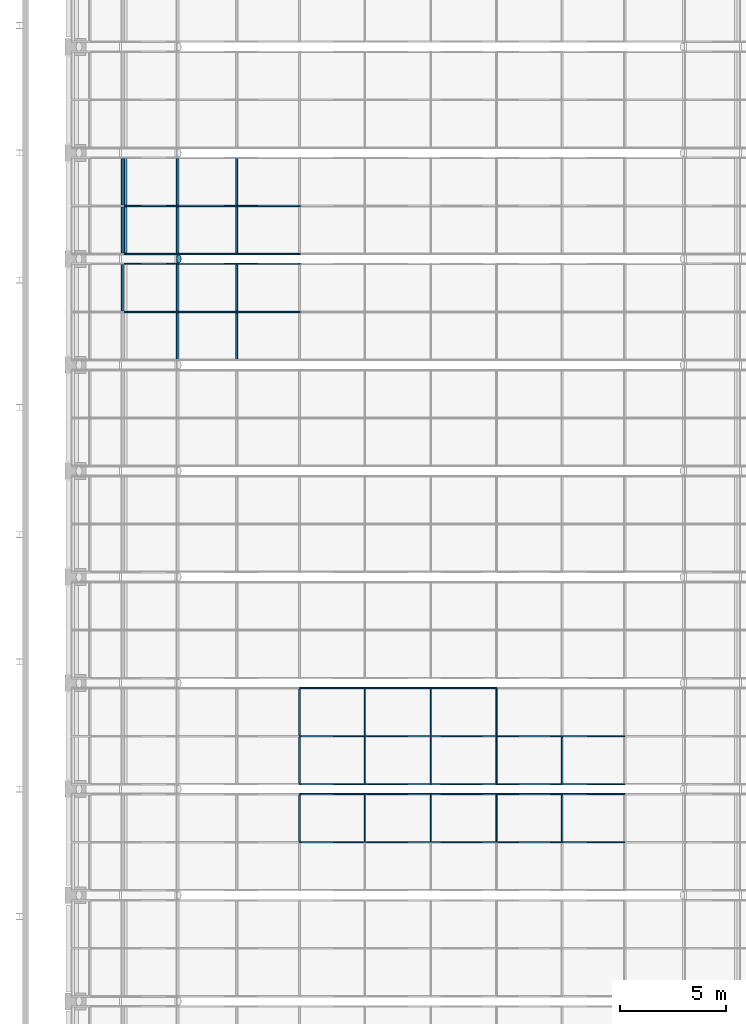
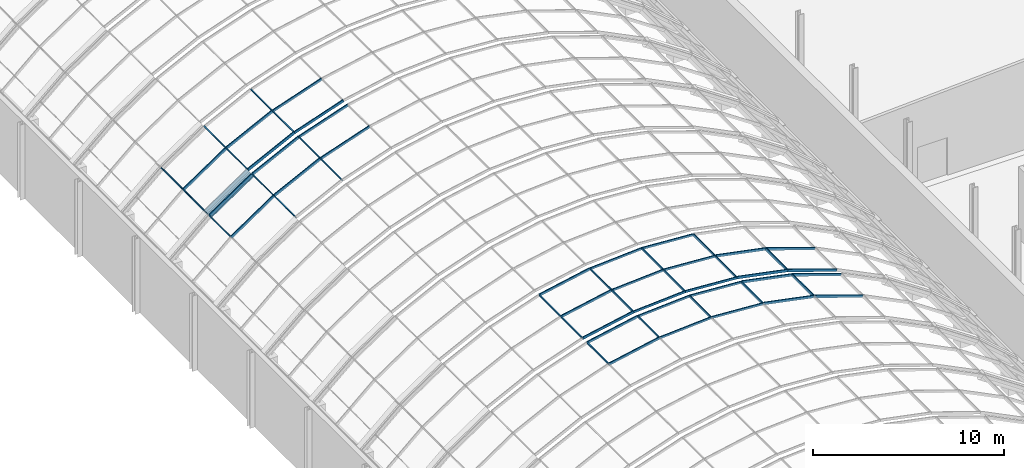
# One storey, part 73 of 182: 62 members, 4 elements without a shape of their own.
"""IFC4 building model written with IfcOpenShell, lengths in metres."""

from ifc_helpers import new_model, si_unit, direction, frame, origin, origin_2d, place, context, subcontext, project, spatial, rectangle, hollow_rectangle, hollow_circle, extrude, material, material_profile, profile_set, type_object, element, aggregate, save


model = new_model("IFC4")

# Units and contexts
model_context = context("Model", 3, precision=1e-05, world=origin(), true_north=direction((0.0, 1.0)))
body_context = subcontext(model_context, "Body", "Model", "MODEL_VIEW")
ifc_project = project(units=[si_unit("LENGTHUNIT", "METRE"), si_unit("AREAUNIT", "SQUARE_METRE"), si_unit("VOLUMEUNIT", "CUBIC_METRE"), si_unit("PLANEANGLEUNIT", "RADIAN"), si_unit("MASSUNIT", "GRAM", prefix="KILO")], contexts=[model_context])

# Site, building, storey
site_placement = place(None, origin())
site = spatial("IfcSite", under=ifc_project, at=site_placement, CompositionType="ELEMENT")
building_placement = place(site_placement, origin())
building = spatial("IfcBuilding", under=site, at=building_placement, Name="Okhra Congress Centre", CompositionType="ELEMENT")
storey_placement = place(building_placement, frame((0.0, 0.0, 7.199951171875)))
storey = spatial("IfcBuildingStorey", under=building, at=storey_placement, Name="L01", CompositionType="ELEMENT", Elevation=7.199951171875)

# Curtain wall, members
ifc_material_1 = material(Name="Aluminium frame with triple glazing", Category="aluminium")
curtain_wall_type = type_object("IfcCurtainWallType", Name="Glazed vault bay curtain wall", PredefinedType="NOTDEFINED", material=ifc_material_1)
curtain_wall_1_placement = place(storey_placement, origin())
curtain_wall_1 = element("IfcCurtainWall", 1, at=curtain_wall_1_placement, inside=storey, type_object=curtain_wall_type, Name="Vault glazing bay 16", PredefinedType="NOTDEFINED")
ifc_material_2 = material(Name="Aluminium alloy 6063", Category="aluminium")
ifc_material_profile_1 = material_profile(ifc_material_2, rectangle(XDim=0.06005859375, YDim=0.139892578125, at=origin_2d()), Name="AL 60x140")
ifc_profile_set_1 = profile_set([ifc_material_profile_1], Name="Aluminium alloy 6063")
member_type_1 = type_object("IfcMemberType", Name="Aluminium mullion 60x140", PredefinedType="MULLION", material=ifc_profile_set_1)
member_1_placement = place(storey_placement, frame((169.1337890625, 153.5, 8.7392578125), z_axis=(0.997826129775, 0.0, 0.065901553385), x_axis=(0.0, 1.0, 0.0)))
member_1 = element("IfcMember", 2, at=member_1_placement, type_object=member_type_1, Name="Vault mullion 16.2.6", PredefinedType="MULLION", context=body_context, shape_type="SweptSolid", body=[
    extrude(rectangle(XDim=0.06005859375, YDim=0.139892578125, at=origin_2d()), origin(), (0.0, 0.0, 1.0), 3.123046875),
])
member_2_placement = place(storey_placement, frame((172.25, 153.5, 8.945068359375), z_axis=(0.997826129775, 0.0, -0.065901553385), x_axis=(0.0, 1.0, 0.0)))
member_2 = element("IfcMember", 3, at=member_2_placement, type_object=member_type_1, Name="Vault mullion 16.2.7", PredefinedType="MULLION", context=body_context, shape_type="SweptSolid", body=[
    extrude(rectangle(XDim=0.06005859375, YDim=0.139892578125, at=origin_2d()), origin(), (0.0, 0.0, 1.0), 3.123046875),
])
member_3_placement = place(storey_placement, frame((169.1337890625, 155.766845703125, 8.7392578125), z_axis=(0.997826129775, 0.0, 0.065901553385), x_axis=(0.0, 1.0, 0.0)))
member_3 = element("IfcMember", 4, at=member_3_placement, type_object=member_type_1, Name="Vault mullion 16.3.6", PredefinedType="MULLION", context=body_context, shape_type="SweptSolid", body=[
    extrude(rectangle(XDim=0.06005859375, YDim=0.139892578125, at=origin_2d()), origin(), (0.0, 0.0, 1.0), 3.123046875),
])
member_4_placement = place(storey_placement, frame((172.25, 155.766845703125, 8.945068359375), z_axis=(0.997826129775, 0.0, -0.065901553385), x_axis=(0.0, 1.0, 0.0)))
member_4 = element("IfcMember", 5, at=member_4_placement, type_object=member_type_1, Name="Vault mullion 16.3.7", PredefinedType="MULLION", context=body_context, shape_type="SweptSolid", body=[
    extrude(rectangle(XDim=0.06005859375, YDim=0.139892578125, at=origin_2d()), origin(), (0.0, 0.0, 1.0), 3.123046875),
])

curtain_wall_2_placement = place(storey_placement, origin())
curtain_wall_2 = element("IfcCurtainWall", 6, at=curtain_wall_2_placement, inside=storey, type_object=curtain_wall_type, Name="Vault glazing bay 17", PredefinedType="NOTDEFINED")
member_5_placement = place(storey_placement, frame((169.1337890625, 156.233154296875, 8.7392578125), z_axis=(0.997826129775, 0.0, 0.065901553385), x_axis=(0.0, 1.0, 0.0)))
member_5 = element("IfcMember", 7, at=member_5_placement, type_object=member_type_1, Name="Vault mullion 17.1.6", PredefinedType="MULLION", context=body_context, shape_type="SweptSolid", body=[
    extrude(rectangle(XDim=0.06005859375, YDim=0.139892578125, at=origin_2d()), origin(), (0.0, 0.0, 1.0), 3.123046875),
])
member_6_placement = place(storey_placement, frame((172.25, 156.233154296875, 8.945068359375), z_axis=(0.997826129775, 0.0, -0.065901553385), x_axis=(0.0, 1.0, 0.0)))
member_6 = element("IfcMember", 8, at=member_6_placement, type_object=member_type_1, Name="Vault mullion 17.1.7", PredefinedType="MULLION", context=body_context, shape_type="SweptSolid", body=[
    extrude(rectangle(XDim=0.06005859375, YDim=0.139892578125, at=origin_2d()), origin(), (0.0, 0.0, 1.0), 3.123046875),
])
member_7_placement = place(storey_placement, frame((169.1337890625, 158.5, 8.7392578125), z_axis=(0.997826129775, 0.0, 0.065901553385), x_axis=(0.0, 1.0, 0.0)))
member_7 = element("IfcMember", 9, at=member_7_placement, type_object=member_type_1, Name="Vault mullion 17.2.6", PredefinedType="MULLION", context=body_context, shape_type="SweptSolid", body=[
    extrude(rectangle(XDim=0.06005859375, YDim=0.139892578125, at=origin_2d()), origin(), (0.0, 0.0, 1.0), 3.123046875),
])
member_8_placement = place(storey_placement, frame((172.25, 158.5, 8.945068359375), z_axis=(0.997826129775, 0.0, -0.065901553385), x_axis=(0.0, 1.0, 0.0)))
member_8 = element("IfcMember", 10, at=member_8_placement, type_object=member_type_1, Name="Vault mullion 17.2.7", PredefinedType="MULLION", context=body_context, shape_type="SweptSolid", body=[
    extrude(rectangle(XDim=0.06005859375, YDim=0.139892578125, at=origin_2d()), origin(), (0.0, 0.0, 1.0), 3.123046875),
])
member_9_placement = place(storey_placement, frame((169.1337890625, 160.766845703125, 8.7392578125), z_axis=(0.997826129775, 0.0, 0.065901553385), x_axis=(0.0, 1.0, 0.0)))
member_9 = element("IfcMember", 11, at=member_9_placement, type_object=member_type_1, Name="Vault mullion 17.3.6", PredefinedType="MULLION", context=body_context, shape_type="SweptSolid", body=[
    extrude(rectangle(XDim=0.06005859375, YDim=0.139892578125, at=origin_2d()), origin(), (0.0, 0.0, 1.0), 3.123046875),
])
member_10_placement = place(storey_placement, frame((172.25, 160.766845703125, 8.945068359375), z_axis=(0.997826129775, 0.0, -0.065901553385), x_axis=(0.0, 1.0, 0.0)))
member_10 = element("IfcMember", 12, at=member_10_placement, type_object=member_type_1, Name="Vault mullion 17.3.7", PredefinedType="MULLION", context=body_context, shape_type="SweptSolid", body=[
    extrude(rectangle(XDim=0.06005859375, YDim=0.139892578125, at=origin_2d()), origin(), (0.0, 0.0, 1.0), 3.123046875),
])

# Member
ifc_material_profile_2 = material_profile(ifc_material_2, rectangle(XDim=0.06005859375, YDim=0.159912109375, at=origin_2d()), Name="AL 60x160")
ifc_profile_set_2 = profile_set([ifc_material_profile_2], Name="Aluminium alloy 6063")
member_type_2 = type_object("IfcMemberType", Name="Aluminium mullion 60x160", PredefinedType="MULLION", material=ifc_profile_set_2)
member_11_placement = place(storey_placement, frame((166.069091796875, 153.5, 8.134765625), z_axis=(0.980484387086, 0.0, 0.196596965087), x_axis=(0.0, 1.0, 0.0)))
member_11 = element("IfcMember", 13, at=member_11_placement, type_object=member_type_2, Name="Vault mullion 16.2.5", PredefinedType="MULLION", context=body_context, shape_type="SweptSolid", body=[
    extrude(rectangle(XDim=0.06005859375, YDim=0.159912109375, at=origin_2d()), origin(), (0.0, 0.0, 1.0), 3.12451171875),
])

member_12_placement = place(storey_placement, frame((175.367431640625, 153.5, 8.7490234375), z_axis=(0.980484387086, 0.0, -0.196596965087), x_axis=(0.0, 1.0, 0.0)))
member_12 = element("IfcMember", 14, at=member_12_placement, type_object=member_type_2, Name="Vault mullion 16.2.8", PredefinedType="MULLION", context=body_context, shape_type="SweptSolid", body=[
    extrude(rectangle(XDim=0.06005859375, YDim=0.159912109375, at=origin_2d()), origin(), (0.0, 0.0, 1.0), 3.12451171875),
])

member_13_placement = place(storey_placement, frame((178.430908203125, 153.5, 8.134765625), z_axis=(0.946065064306, 0.0, -0.323976687587), x_axis=(0.0, 1.0, 0.0)))
member_13 = element("IfcMember", 15, at=member_13_placement, type_object=member_type_2, Name="Vault mullion 16.2.9", PredefinedType="MULLION", context=body_context, shape_type="SweptSolid", body=[
    extrude(rectangle(XDim=0.06005859375, YDim=0.159912109375, at=origin_2d()), origin(), (0.0, 0.0, 1.0), 3.124267578125),
])

member_14_placement = place(storey_placement, frame((166.069091796875, 155.766845703125, 8.134765625), z_axis=(0.980484387086, 0.0, 0.196596965087), x_axis=(0.0, 1.0, 0.0)))
member_14 = element("IfcMember", 16, at=member_14_placement, type_object=member_type_2, Name="Vault mullion 16.3.5", PredefinedType="MULLION", context=body_context, shape_type="SweptSolid", body=[
    extrude(rectangle(XDim=0.06005859375, YDim=0.159912109375, at=origin_2d()), origin(), (0.0, 0.0, 1.0), 3.12451171875),
])

member_15_placement = place(storey_placement, frame((175.367431640625, 155.766845703125, 8.7490234375), z_axis=(0.980484387086, 0.0, -0.196596965087), x_axis=(0.0, 1.0, 0.0)))
member_15 = element("IfcMember", 17, at=member_15_placement, type_object=member_type_2, Name="Vault mullion 16.3.8", PredefinedType="MULLION", context=body_context, shape_type="SweptSolid", body=[
    extrude(rectangle(XDim=0.06005859375, YDim=0.159912109375, at=origin_2d()), origin(), (0.0, 0.0, 1.0), 3.12451171875),
])

member_16_placement = place(storey_placement, frame((178.430908203125, 155.766845703125, 8.134765625), z_axis=(0.946065064306, 0.0, -0.323976687587), x_axis=(0.0, 1.0, 0.0)))
member_16 = element("IfcMember", 18, at=member_16_placement, type_object=member_type_2, Name="Vault mullion 16.3.9", PredefinedType="MULLION", context=body_context, shape_type="SweptSolid", body=[
    extrude(rectangle(XDim=0.06005859375, YDim=0.159912109375, at=origin_2d()), origin(), (0.0, 0.0, 1.0), 3.124267578125),
])

member_17_placement = place(storey_placement, frame((166.069091796875, 156.233154296875, 8.134765625), z_axis=(0.980484387086, 0.0, 0.196596965087), x_axis=(0.0, 1.0, 0.0)))
member_17 = element("IfcMember", 19, at=member_17_placement, type_object=member_type_2, Name="Vault mullion 17.1.5", PredefinedType="MULLION", context=body_context, shape_type="SweptSolid", body=[
    extrude(rectangle(XDim=0.06005859375, YDim=0.159912109375, at=origin_2d()), origin(), (0.0, 0.0, 1.0), 3.12451171875),
])

member_18_placement = place(storey_placement, frame((175.367431640625, 156.233154296875, 8.7490234375), z_axis=(0.980484387086, 0.0, -0.196596965087), x_axis=(0.0, 1.0, 0.0)))
member_18 = element("IfcMember", 20, at=member_18_placement, type_object=member_type_2, Name="Vault mullion 17.1.8", PredefinedType="MULLION", context=body_context, shape_type="SweptSolid", body=[
    extrude(rectangle(XDim=0.06005859375, YDim=0.159912109375, at=origin_2d()), origin(), (0.0, 0.0, 1.0), 3.12451171875),
])

member_19_placement = place(storey_placement, frame((178.430908203125, 156.233154296875, 8.134765625), z_axis=(0.946065064306, 0.0, -0.323976687587), x_axis=(0.0, 1.0, 0.0)))
member_19 = element("IfcMember", 21, at=member_19_placement, type_object=member_type_2, Name="Vault mullion 17.1.9", PredefinedType="MULLION", context=body_context, shape_type="SweptSolid", body=[
    extrude(rectangle(XDim=0.06005859375, YDim=0.159912109375, at=origin_2d()), origin(), (0.0, 0.0, 1.0), 3.124267578125),
])

member_20_placement = place(storey_placement, frame((166.069091796875, 158.5, 8.134765625), z_axis=(0.980484387086, 0.0, 0.196596965087), x_axis=(0.0, 1.0, 0.0)))
member_20 = element("IfcMember", 22, at=member_20_placement, type_object=member_type_2, Name="Vault mullion 17.2.5", PredefinedType="MULLION", context=body_context, shape_type="SweptSolid", body=[
    extrude(rectangle(XDim=0.06005859375, YDim=0.159912109375, at=origin_2d()), origin(), (0.0, 0.0, 1.0), 3.12451171875),
])

member_21_placement = place(storey_placement, frame((175.367431640625, 158.5, 8.7490234375), z_axis=(0.980484387086, 0.0, -0.196596965087), x_axis=(0.0, 1.0, 0.0)))
member_21 = element("IfcMember", 23, at=member_21_placement, type_object=member_type_2, Name="Vault mullion 17.2.8", PredefinedType="MULLION", context=body_context, shape_type="SweptSolid", body=[
    extrude(rectangle(XDim=0.06005859375, YDim=0.159912109375, at=origin_2d()), origin(), (0.0, 0.0, 1.0), 3.12451171875),
])

member_22_placement = place(storey_placement, frame((178.430908203125, 158.5, 8.134765625), z_axis=(0.946065064306, 0.0, -0.323976687587), x_axis=(0.0, 1.0, 0.0)))
member_22 = element("IfcMember", 24, at=member_22_placement, type_object=member_type_2, Name="Vault mullion 17.2.9", PredefinedType="MULLION", context=body_context, shape_type="SweptSolid", body=[
    extrude(rectangle(XDim=0.06005859375, YDim=0.159912109375, at=origin_2d()), origin(), (0.0, 0.0, 1.0), 3.124267578125),
])

member_23_placement = place(storey_placement, frame((166.069091796875, 160.766845703125, 8.134765625), z_axis=(0.980484387086, 0.0, 0.196596965087), x_axis=(0.0, 1.0, 0.0)))
member_23 = element("IfcMember", 25, at=member_23_placement, type_object=member_type_2, Name="Vault mullion 17.3.5", PredefinedType="MULLION", context=body_context, shape_type="SweptSolid", body=[
    extrude(rectangle(XDim=0.06005859375, YDim=0.159912109375, at=origin_2d()), origin(), (0.0, 0.0, 1.0), 3.12451171875),
])

# Curtain wall, members
curtain_wall_3_placement = place(storey_placement, origin())
curtain_wall_3 = element("IfcCurtainWall", 26, at=curtain_wall_3_placement, inside=storey, type_object=curtain_wall_type, Name="Vault glazing bay 21", PredefinedType="NOTDEFINED")
member_24_placement = place(storey_placement, frame((163.11328125, 178.5, 7.12255859375), z_axis=(0.946065064306, 0.0, 0.323976687587), x_axis=(0.0, 1.0, 0.0)))
member_24 = element("IfcMember", 27, at=member_24_placement, type_object=member_type_2, Name="Vault mullion 21.2.4", PredefinedType="MULLION", context=body_context, shape_type="SweptSolid", body=[
    extrude(rectangle(XDim=0.06005859375, YDim=0.159912109375, at=origin_2d()), origin(), (0.0, 0.0, 1.0), 3.124267578125),
])
member_25_placement = place(storey_placement, frame((163.11328125, 180.766845703125, 7.12255859375), z_axis=(0.946065064306, 0.0, 0.323976687587), x_axis=(0.0, 1.0, 0.0)))
member_25 = element("IfcMember", 28, at=member_25_placement, type_object=member_type_2, Name="Vault mullion 21.3.4", PredefinedType="MULLION", context=body_context, shape_type="SweptSolid", body=[
    extrude(rectangle(XDim=0.06005859375, YDim=0.159912109375, at=origin_2d()), origin(), (0.0, 0.0, 1.0), 3.124267578125),
])

curtain_wall_4_placement = place(storey_placement, origin())
curtain_wall_4 = element("IfcCurtainWall", 29, at=curtain_wall_4_placement, inside=storey, type_object=curtain_wall_type, Name="Vault glazing bay 22", PredefinedType="NOTDEFINED")
member_26_placement = place(storey_placement, frame((163.11328125, 181.233154296875, 7.12255859375), z_axis=(0.946065064306, 0.0, 0.323976687587), x_axis=(0.0, 1.0, 0.0)))
member_26 = element("IfcMember", 30, at=member_26_placement, type_object=member_type_2, Name="Vault mullion 22.1.4", PredefinedType="MULLION", context=body_context, shape_type="SweptSolid", body=[
    extrude(rectangle(XDim=0.06005859375, YDim=0.159912109375, at=origin_2d()), origin(), (0.0, 0.0, 1.0), 3.124267578125),
])
member_27_placement = place(storey_placement, frame((163.11328125, 183.5, 7.12255859375), z_axis=(0.946065064306, 0.0, 0.323976687587), x_axis=(0.0, 1.0, 0.0)))
member_27 = element("IfcMember", 31, at=member_27_placement, type_object=member_type_2, Name="Vault mullion 22.2.4", PredefinedType="MULLION", context=body_context, shape_type="SweptSolid", body=[
    extrude(rectangle(XDim=0.06005859375, YDim=0.159912109375, at=origin_2d()), origin(), (0.0, 0.0, 1.0), 3.124267578125),
])

# Member
ifc_material_profile_3 = material_profile(ifc_material_2, rectangle(XDim=0.06005859375, YDim=0.179931640625, at=origin_2d()), Name="AL 60x180")
ifc_profile_set_3 = profile_set([ifc_material_profile_3], Name="Aluminium alloy 6063")
member_type_3 = type_object("IfcMemberType", Name="Aluminium mullion 60x180", PredefinedType="MULLION", material=ifc_profile_set_3)
member_28_placement = place(storey_placement, frame((157.720703125, 178.5, 3.990478515625), z_axis=(0.828827846338, 0.0, 0.559503709671), x_axis=(0.0, 1.0, 0.0)))
member_28 = element("IfcMember", 32, at=member_28_placement, type_object=member_type_3, Name="Vault mullion 21.2.2", PredefinedType="MULLION", context=body_context, shape_type="SweptSolid", body=[
    extrude(rectangle(XDim=0.06005859375, YDim=0.179931640625, at=origin_2d()), origin(), (0.0, 0.0, 1.0), 3.12548828125),
])

member_29_placement = place(storey_placement, frame((160.311279296875, 178.5, 5.7392578125), z_axis=(0.895253656313, 0.0, 0.445556832354), x_axis=(0.0, 1.0, 0.0)))
member_29 = element("IfcMember", 33, at=member_29_placement, type_object=member_type_3, Name="Vault mullion 21.2.3", PredefinedType="MULLION", context=body_context, shape_type="SweptSolid", body=[
    extrude(rectangle(XDim=0.06005859375, YDim=0.179931640625, at=origin_2d()), origin(), (0.0, 0.0, 1.0), 3.12548828125),
])

member_30_placement = place(storey_placement, frame((157.720703125, 180.766845703125, 3.990478515625), z_axis=(0.828827846338, 0.0, 0.559503709671), x_axis=(0.0, 1.0, 0.0)))
member_30 = element("IfcMember", 34, at=member_30_placement, type_object=member_type_3, Name="Vault mullion 21.3.2", PredefinedType="MULLION", context=body_context, shape_type="SweptSolid", body=[
    extrude(rectangle(XDim=0.06005859375, YDim=0.179931640625, at=origin_2d()), origin(), (0.0, 0.0, 1.0), 3.12548828125),
])

member_31_placement = place(storey_placement, frame((160.311279296875, 180.766845703125, 5.7392578125), z_axis=(0.895253656313, 0.0, 0.445556832354), x_axis=(0.0, 1.0, 0.0)))
member_31 = element("IfcMember", 35, at=member_31_placement, type_object=member_type_3, Name="Vault mullion 21.3.3", PredefinedType="MULLION", context=body_context, shape_type="SweptSolid", body=[
    extrude(rectangle(XDim=0.06005859375, YDim=0.179931640625, at=origin_2d()), origin(), (0.0, 0.0, 1.0), 3.12548828125),
])

member_32_placement = place(storey_placement, frame((157.720703125, 181.233154296875, 3.990478515625), z_axis=(0.828827846338, 0.0, 0.559503709671), x_axis=(0.0, 1.0, 0.0)))
member_32 = element("IfcMember", 36, at=member_32_placement, type_object=member_type_3, Name="Vault mullion 22.1.2", PredefinedType="MULLION", context=body_context, shape_type="SweptSolid", body=[
    extrude(rectangle(XDim=0.06005859375, YDim=0.179931640625, at=origin_2d()), origin(), (0.0, 0.0, 1.0), 3.12548828125),
])

member_33_placement = place(storey_placement, frame((160.311279296875, 181.233154296875, 5.7392578125), z_axis=(0.895253656313, 0.0, 0.445556832354), x_axis=(0.0, 1.0, 0.0)))
member_33 = element("IfcMember", 37, at=member_33_placement, type_object=member_type_3, Name="Vault mullion 22.1.3", PredefinedType="MULLION", context=body_context, shape_type="SweptSolid", body=[
    extrude(rectangle(XDim=0.06005859375, YDim=0.179931640625, at=origin_2d()), origin(), (0.0, 0.0, 1.0), 3.12548828125),
])

member_34_placement = place(storey_placement, frame((157.720703125, 183.5, 3.990478515625), z_axis=(0.828827846338, 0.0, 0.559503709671), x_axis=(0.0, 1.0, 0.0)))
member_34 = element("IfcMember", 38, at=member_34_placement, type_object=member_type_3, Name="Vault mullion 22.2.2", PredefinedType="MULLION", context=body_context, shape_type="SweptSolid", body=[
    extrude(rectangle(XDim=0.06005859375, YDim=0.179931640625, at=origin_2d()), origin(), (0.0, 0.0, 1.0), 3.12548828125),
])

member_35_placement = place(storey_placement, frame((160.311279296875, 183.5, 5.7392578125), z_axis=(0.895253656313, 0.0, 0.445556832354), x_axis=(0.0, 1.0, 0.0)))
member_35 = element("IfcMember", 39, at=member_35_placement, type_object=member_type_3, Name="Vault mullion 22.2.3", PredefinedType="MULLION", context=body_context, shape_type="SweptSolid", body=[
    extrude(rectangle(XDim=0.06005859375, YDim=0.179931640625, at=origin_2d()), origin(), (0.0, 0.0, 1.0), 3.12548828125),
])

ifc_material_profile_4 = material_profile(ifc_material_2, rectangle(XDim=0.06005859375, YDim=0.139892578125, at=origin_2d()), Name="AL 60x140 transom")
ifc_profile_set_4 = profile_set([ifc_material_profile_4], Name="Aluminium alloy 6063")
member_type_4 = type_object("IfcMemberType", Name="Aluminium transom 60x140", PredefinedType="USERDEFINED", material=ifc_profile_set_4)
member_36_placement = place(storey_placement, frame((169.1337890625, 153.530029296875, 8.7392578125), z_axis=(0.0, 1.0, 0.0), x_axis=(-0.991307202734, 0.0, -0.131567586459)))
member_36 = element("IfcMember", 40, at=member_36_placement, type_object=member_type_4, Name="Vault transom 16.2.6", ObjectType="TRANSOM", PredefinedType="USERDEFINED", context=body_context, shape_type="SweptSolid", body=[
    extrude(rectangle(XDim=0.06005859375, YDim=0.139892578125, at=origin_2d()), origin(), (0.0, 0.0, 1.0), 2.206787109375),
])

member_37_placement = place(storey_placement, frame((172.25, 153.530029296875, 8.945068359375), z_axis=(0.0, 1.0, 0.0), x_axis=(-1.0, 0.0, 0.0)))
member_37 = element("IfcMember", 41, at=member_37_placement, type_object=member_type_4, Name="Vault transom 16.2.7", ObjectType="TRANSOM", PredefinedType="USERDEFINED", context=body_context, shape_type="SweptSolid", body=[
    extrude(rectangle(XDim=0.06005859375, YDim=0.139892578125, at=origin_2d()), origin(), (0.0, 0.0, 1.0), 2.206787109375),
])

member_38_placement = place(storey_placement, frame((175.3662109375, 153.530029296875, 8.7392578125), z_axis=(0.0, 1.0, 0.0), x_axis=(-0.991307202734, 0.0, 0.131567586459)))
member_38 = element("IfcMember", 42, at=member_38_placement, type_object=member_type_4, Name="Vault transom 16.2.8", ObjectType="TRANSOM", PredefinedType="USERDEFINED", context=body_context, shape_type="SweptSolid", body=[
    extrude(rectangle(XDim=0.06005859375, YDim=0.139892578125, at=origin_2d()), origin(), (0.0, 0.0, 1.0), 2.206787109375),
])

member_39_placement = place(storey_placement, frame((169.1337890625, 156.26318359375, 8.7392578125), z_axis=(0.0, 1.0, 0.0), x_axis=(-0.991307202734, 0.0, -0.131567586459)))
member_39 = element("IfcMember", 43, at=member_39_placement, type_object=member_type_4, Name="Vault transom 17.1.6", ObjectType="TRANSOM", PredefinedType="USERDEFINED", context=body_context, shape_type="SweptSolid", body=[
    extrude(rectangle(XDim=0.06005859375, YDim=0.139892578125, at=origin_2d()), origin(), (0.0, 0.0, 1.0), 2.206787109375),
])

member_40_placement = place(storey_placement, frame((172.25, 156.26318359375, 8.945068359375), z_axis=(0.0, 1.0, 0.0), x_axis=(-1.0, 0.0, 0.0)))
member_40 = element("IfcMember", 44, at=member_40_placement, type_object=member_type_4, Name="Vault transom 17.1.7", ObjectType="TRANSOM", PredefinedType="USERDEFINED", context=body_context, shape_type="SweptSolid", body=[
    extrude(rectangle(XDim=0.06005859375, YDim=0.139892578125, at=origin_2d()), origin(), (0.0, 0.0, 1.0), 2.206787109375),
])

member_41_placement = place(storey_placement, frame((175.3662109375, 156.26318359375, 8.7392578125), z_axis=(0.0, 1.0, 0.0), x_axis=(-0.991307202734, 0.0, 0.131567586459)))
member_41 = element("IfcMember", 45, at=member_41_placement, type_object=member_type_4, Name="Vault transom 17.1.8", ObjectType="TRANSOM", PredefinedType="USERDEFINED", context=body_context, shape_type="SweptSolid", body=[
    extrude(rectangle(XDim=0.06005859375, YDim=0.139892578125, at=origin_2d()), origin(), (0.0, 0.0, 1.0), 2.206787109375),
])

member_42_placement = place(storey_placement, frame((169.1337890625, 158.530029296875, 8.7392578125), z_axis=(0.0, 1.0, 0.0), x_axis=(-0.991307202734, 0.0, -0.131567586459)))
member_42 = element("IfcMember", 46, at=member_42_placement, type_object=member_type_4, Name="Vault transom 17.2.6", ObjectType="TRANSOM", PredefinedType="USERDEFINED", context=body_context, shape_type="SweptSolid", body=[
    extrude(rectangle(XDim=0.06005859375, YDim=0.139892578125, at=origin_2d()), origin(), (0.0, 0.0, 1.0), 2.206787109375),
])

member_43_placement = place(storey_placement, frame((172.25, 158.530029296875, 8.945068359375), z_axis=(0.0, 1.0, 0.0), x_axis=(-1.0, 0.0, 0.0)))
member_43 = element("IfcMember", 47, at=member_43_placement, type_object=member_type_4, Name="Vault transom 17.2.7", ObjectType="TRANSOM", PredefinedType="USERDEFINED", context=body_context, shape_type="SweptSolid", body=[
    extrude(rectangle(XDim=0.06005859375, YDim=0.139892578125, at=origin_2d()), origin(), (0.0, 0.0, 1.0), 2.206787109375),
])

member_44_placement = place(storey_placement, frame((175.3662109375, 158.530029296875, 8.7392578125), z_axis=(0.0, 1.0, 0.0), x_axis=(-0.991307202734, 0.0, 0.131567586459)))
member_44 = element("IfcMember", 48, at=member_44_placement, type_object=member_type_4, Name="Vault transom 17.2.8", ObjectType="TRANSOM", PredefinedType="USERDEFINED", context=body_context, shape_type="SweptSolid", body=[
    extrude(rectangle(XDim=0.06005859375, YDim=0.139892578125, at=origin_2d()), origin(), (0.0, 0.0, 1.0), 2.206787109375),
])

ifc_material_profile_5 = material_profile(ifc_material_2, rectangle(XDim=0.06005859375, YDim=0.159912109375, at=origin_2d()), Name="AL 60x160 transom")
ifc_profile_set_5 = profile_set([ifc_material_profile_5], Name="Aluminium alloy 6063")
member_type_5 = type_object("IfcMemberType", Name="Aluminium transom 60x160", PredefinedType="USERDEFINED", material=ifc_profile_set_5)
member_45_placement = place(storey_placement, frame((166.069091796875, 153.530029296875, 8.134765625), z_axis=(0.0, 1.0, 0.0), x_axis=(-0.965379940391, 0.0, -0.260847792191)))
member_45 = element("IfcMember", 49, at=member_45_placement, type_object=member_type_5, Name="Vault transom 16.2.5", ObjectType="TRANSOM", PredefinedType="USERDEFINED", context=body_context, shape_type="SweptSolid", body=[
    extrude(rectangle(XDim=0.06005859375, YDim=0.159912109375, at=origin_2d()), origin(), (0.0, 0.0, 1.0), 2.206787109375),
])

member_46_placement = place(storey_placement, frame((178.430908203125, 153.530029296875, 8.134765625), z_axis=(0.0, 1.0, 0.0), x_axis=(-0.965379940391, 0.0, 0.260847792191)))
member_46 = element("IfcMember", 50, at=member_46_placement, type_object=member_type_5, Name="Vault transom 16.2.9", ObjectType="TRANSOM", PredefinedType="USERDEFINED", context=body_context, shape_type="SweptSolid", body=[
    extrude(rectangle(XDim=0.06005859375, YDim=0.159912109375, at=origin_2d()), origin(), (0.0, 0.0, 1.0), 2.206787109375),
])

aggregate(curtain_wall_1, [member_11, member_1, member_2, member_12, member_13, member_14, member_3, member_4, member_15, member_16, member_45, member_36, member_37, member_38, member_46])

member_47_placement = place(storey_placement, frame((166.069091796875, 156.26318359375, 8.134765625), z_axis=(0.0, 1.0, 0.0), x_axis=(-0.965379940391, 0.0, -0.260847792191)))
member_47 = element("IfcMember", 51, at=member_47_placement, type_object=member_type_5, Name="Vault transom 17.1.5", ObjectType="TRANSOM", PredefinedType="USERDEFINED", context=body_context, shape_type="SweptSolid", body=[
    extrude(rectangle(XDim=0.06005859375, YDim=0.159912109375, at=origin_2d()), origin(), (0.0, 0.0, 1.0), 2.206787109375),
])

member_48_placement = place(storey_placement, frame((178.430908203125, 156.26318359375, 8.134765625), z_axis=(0.0, 1.0, 0.0), x_axis=(-0.965379940391, 0.0, 0.260847792191)))
member_48 = element("IfcMember", 52, at=member_48_placement, type_object=member_type_5, Name="Vault transom 17.1.9", ObjectType="TRANSOM", PredefinedType="USERDEFINED", context=body_context, shape_type="SweptSolid", body=[
    extrude(rectangle(XDim=0.06005859375, YDim=0.159912109375, at=origin_2d()), origin(), (0.0, 0.0, 1.0), 2.206787109375),
])

member_49_placement = place(storey_placement, frame((166.069091796875, 158.530029296875, 8.134765625), z_axis=(0.0, 1.0, 0.0), x_axis=(-0.965379940391, 0.0, -0.260847792191)))
member_49 = element("IfcMember", 53, at=member_49_placement, type_object=member_type_5, Name="Vault transom 17.2.5", ObjectType="TRANSOM", PredefinedType="USERDEFINED", context=body_context, shape_type="SweptSolid", body=[
    extrude(rectangle(XDim=0.06005859375, YDim=0.159912109375, at=origin_2d()), origin(), (0.0, 0.0, 1.0), 2.206787109375),
])

aggregate(curtain_wall_2, [member_17, member_5, member_6, member_18, member_19, member_20, member_7, member_8, member_21, member_22, member_23, member_9, member_10, member_47, member_39, member_40, member_41, member_48, member_49, member_42, member_43, member_44])

member_50_placement = place(storey_placement, frame((163.11328125, 176.26318359375, 7.12255859375), z_axis=(0.0, 1.0, 0.0), x_axis=(-0.922668973833, 0.0, -0.38559300399)))
member_50 = element("IfcMember", 54, at=member_50_placement, type_object=member_type_5, Name="Vault transom 21.1.4", ObjectType="TRANSOM", PredefinedType="USERDEFINED", context=body_context, shape_type="SweptSolid", body=[
    extrude(rectangle(XDim=0.06005859375, YDim=0.159912109375, at=origin_2d()), origin(), (0.0, 0.0, 1.0), 2.206787109375),
])

member_51_placement = place(storey_placement, frame((163.11328125, 178.530029296875, 7.12255859375), z_axis=(0.0, 1.0, 0.0), x_axis=(-0.922668973833, 0.0, -0.38559300399)))
member_51 = element("IfcMember", 55, at=member_51_placement, type_object=member_type_5, Name="Vault transom 21.2.4", ObjectType="TRANSOM", PredefinedType="USERDEFINED", context=body_context, shape_type="SweptSolid", body=[
    extrude(rectangle(XDim=0.06005859375, YDim=0.159912109375, at=origin_2d()), origin(), (0.0, 0.0, 1.0), 2.206787109375),
])

member_52_placement = place(storey_placement, frame((163.11328125, 181.26318359375, 7.12255859375), z_axis=(0.0, 1.0, 0.0), x_axis=(-0.922668973833, 0.0, -0.38559300399)))
member_52 = element("IfcMember", 56, at=member_52_placement, type_object=member_type_5, Name="Vault transom 22.1.4", ObjectType="TRANSOM", PredefinedType="USERDEFINED", context=body_context, shape_type="SweptSolid", body=[
    extrude(rectangle(XDim=0.06005859375, YDim=0.159912109375, at=origin_2d()), origin(), (0.0, 0.0, 1.0), 2.206787109375),
])

member_53_placement = place(storey_placement, frame((163.11328125, 183.530029296875, 7.12255859375), z_axis=(0.0, 1.0, 0.0), x_axis=(-0.922668973833, 0.0, -0.38559300399)))
member_53 = element("IfcMember", 57, at=member_53_placement, type_object=member_type_5, Name="Vault transom 22.2.4", ObjectType="TRANSOM", PredefinedType="USERDEFINED", context=body_context, shape_type="SweptSolid", body=[
    extrude(rectangle(XDim=0.06005859375, YDim=0.159912109375, at=origin_2d()), origin(), (0.0, 0.0, 1.0), 2.206787109375),
])

ifc_material_profile_6 = material_profile(ifc_material_2, rectangle(XDim=0.06005859375, YDim=0.179931640625, at=origin_2d()), Name="AL 60x180 transom")
ifc_profile_set_6 = profile_set([ifc_material_profile_6], Name="Aluminium alloy 6063")
member_type_6 = type_object("IfcMemberType", Name="Aluminium transom 60x180", PredefinedType="USERDEFINED", material=ifc_profile_set_6)
member_54_placement = place(storey_placement, frame((160.311279296875, 176.26318359375, 5.7392578125), z_axis=(0.0, 1.0, 0.0), x_axis=(-0.86391685861, 0.0, -0.503634452167)))
member_54 = element("IfcMember", 58, at=member_54_placement, type_object=member_type_6, Name="Vault transom 21.1.3", ObjectType="TRANSOM", PredefinedType="USERDEFINED", context=body_context, shape_type="SweptSolid", body=[
    extrude(rectangle(XDim=0.06005859375, YDim=0.179931640625, at=origin_2d()), origin(), (0.0, 0.0, 1.0), 2.206787109375),
])

member_55_placement = place(storey_placement, frame((157.720703125, 178.530029296875, 3.990478515625), z_axis=(0.0, 1.0, 0.0), x_axis=(-0.790145035185, 0.0, -0.612919915954)))
member_55 = element("IfcMember", 59, at=member_55_placement, type_object=member_type_6, Name="Vault transom 21.2.2", ObjectType="TRANSOM", PredefinedType="USERDEFINED", context=body_context, shape_type="SweptSolid", body=[
    extrude(rectangle(XDim=0.06005859375, YDim=0.179931640625, at=origin_2d()), origin(), (0.0, 0.0, 1.0), 2.206787109375),
])

member_56_placement = place(storey_placement, frame((160.311279296875, 178.530029296875, 5.7392578125), z_axis=(0.0, 1.0, 0.0), x_axis=(-0.86391685861, 0.0, -0.503634452167)))
member_56 = element("IfcMember", 60, at=member_56_placement, type_object=member_type_6, Name="Vault transom 21.2.3", ObjectType="TRANSOM", PredefinedType="USERDEFINED", context=body_context, shape_type="SweptSolid", body=[
    extrude(rectangle(XDim=0.06005859375, YDim=0.179931640625, at=origin_2d()), origin(), (0.0, 0.0, 1.0), 2.206787109375),
])

aggregate(curtain_wall_3, [member_28, member_29, member_24, member_30, member_31, member_25, member_54, member_50, member_55, member_56, member_51])

member_57_placement = place(storey_placement, frame((157.720703125, 181.26318359375, 3.990478515625), z_axis=(0.0, 1.0, 0.0), x_axis=(-0.790145035185, 0.0, -0.612919915954)))
member_57 = element("IfcMember", 61, at=member_57_placement, type_object=member_type_6, Name="Vault transom 22.1.2", ObjectType="TRANSOM", PredefinedType="USERDEFINED", context=body_context, shape_type="SweptSolid", body=[
    extrude(rectangle(XDim=0.06005859375, YDim=0.179931640625, at=origin_2d()), origin(), (0.0, 0.0, 1.0), 2.206787109375),
])

member_58_placement = place(storey_placement, frame((160.311279296875, 181.26318359375, 5.7392578125), z_axis=(0.0, 1.0, 0.0), x_axis=(-0.86391685861, 0.0, -0.503634452167)))
member_58 = element("IfcMember", 62, at=member_58_placement, type_object=member_type_6, Name="Vault transom 22.1.3", ObjectType="TRANSOM", PredefinedType="USERDEFINED", context=body_context, shape_type="SweptSolid", body=[
    extrude(rectangle(XDim=0.06005859375, YDim=0.179931640625, at=origin_2d()), origin(), (0.0, 0.0, 1.0), 2.206787109375),
])

member_59_placement = place(storey_placement, frame((157.720703125, 183.530029296875, 3.990478515625), z_axis=(0.0, 1.0, 0.0), x_axis=(-0.790145035185, 0.0, -0.612919915954)))
member_59 = element("IfcMember", 63, at=member_59_placement, type_object=member_type_6, Name="Vault transom 22.2.2", ObjectType="TRANSOM", PredefinedType="USERDEFINED", context=body_context, shape_type="SweptSolid", body=[
    extrude(rectangle(XDim=0.06005859375, YDim=0.179931640625, at=origin_2d()), origin(), (0.0, 0.0, 1.0), 2.206787109375),
])

member_60_placement = place(storey_placement, frame((160.311279296875, 183.530029296875, 5.7392578125), z_axis=(0.0, 1.0, 0.0), x_axis=(-0.86391685861, 0.0, -0.503634452167)))
member_60 = element("IfcMember", 64, at=member_60_placement, type_object=member_type_6, Name="Vault transom 22.2.3", ObjectType="TRANSOM", PredefinedType="USERDEFINED", context=body_context, shape_type="SweptSolid", body=[
    extrude(rectangle(XDim=0.06005859375, YDim=0.179931640625, at=origin_2d()), origin(), (0.0, 0.0, 1.0), 2.206787109375),
])

aggregate(curtain_wall_4, [member_32, member_33, member_26, member_34, member_35, member_27, member_57, member_58, member_52, member_59, member_60, member_53])

# Members
ifc_material_3 = material(Name="Steel S355J2", Category="steel")
ifc_material_profile_7 = material_profile(ifc_material_3, hollow_rectangle(XDim=0.10009765625, YDim=0.199951171875, WallThickness=0.008056640625, at=origin_2d()), Name="RHS 200x100x8")
ifc_profile_set_7 = profile_set([ifc_material_profile_7], Name="Steel S355J2")
member_type_7 = type_object("IfcMemberType", Name="Steel purlin RHS 200x100x8", PredefinedType="PURLIN", material=ifc_profile_set_7)
member_61_placement = place(storey_placement, frame((157.837158203125, 181.203125, 3.84033203125), z_axis=(0.0, 1.0, 0.0), x_axis=(-0.790145035185, 0.0, -0.612919915954)))
element("IfcMember", 65, at=member_61_placement, inside=storey, type_object=member_type_7, Name="Vault purlin 22.1", PredefinedType="PURLIN", context=body_context, shape_type="SweptSolid", body=[
    extrude(hollow_rectangle(XDim=0.10009765625, YDim=0.199951171875, WallThickness=0.008056640625, at=origin_2d()), origin(), (0.0, 0.0, 1.0), 4.59375),
])
ifc_material_profile_8 = material_profile(ifc_material_3, hollow_circle(Radius=0.203125, WallThickness=0.01611328125, at=origin_2d()), Name="CHS 406.4x16")
ifc_profile_set_8 = profile_set([ifc_material_profile_8], Name="Steel S355J2")
member_type_8 = type_object("IfcMemberType", Name="Tubular steel arch rib CHS 406x16", PredefinedType="USERDEFINED", material=ifc_profile_set_8)
member_62_placement = place(storey_placement, frame((157.8330078125, 181.0, 3.86767578125), z_axis=(0.82882567543, 0.0, 0.559506925558), x_axis=(0.0, 1.0, 0.0)))
element("IfcMember", 66, at=member_62_placement, inside=storey, type_object=member_type_8, Name="Arch rib 22.2", ObjectType="Arch rib", PredefinedType="USERDEFINED", context=body_context, shape_type="SweptSolid", body=[
    extrude(hollow_circle(Radius=0.203125, WallThickness=0.01611328125, at=origin_2d()), origin(), (0.0, 0.0, 1.0), 3.07666015625),
])

save(model, "model.ifc")
